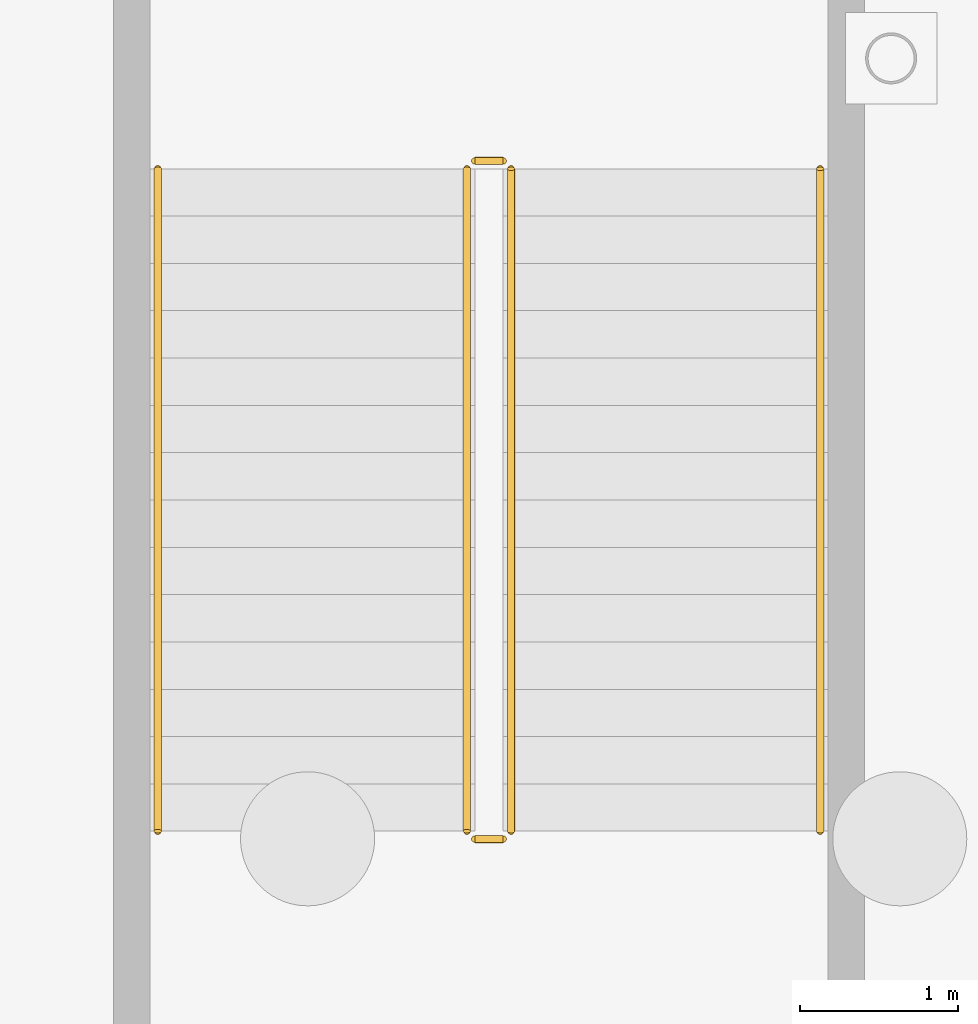
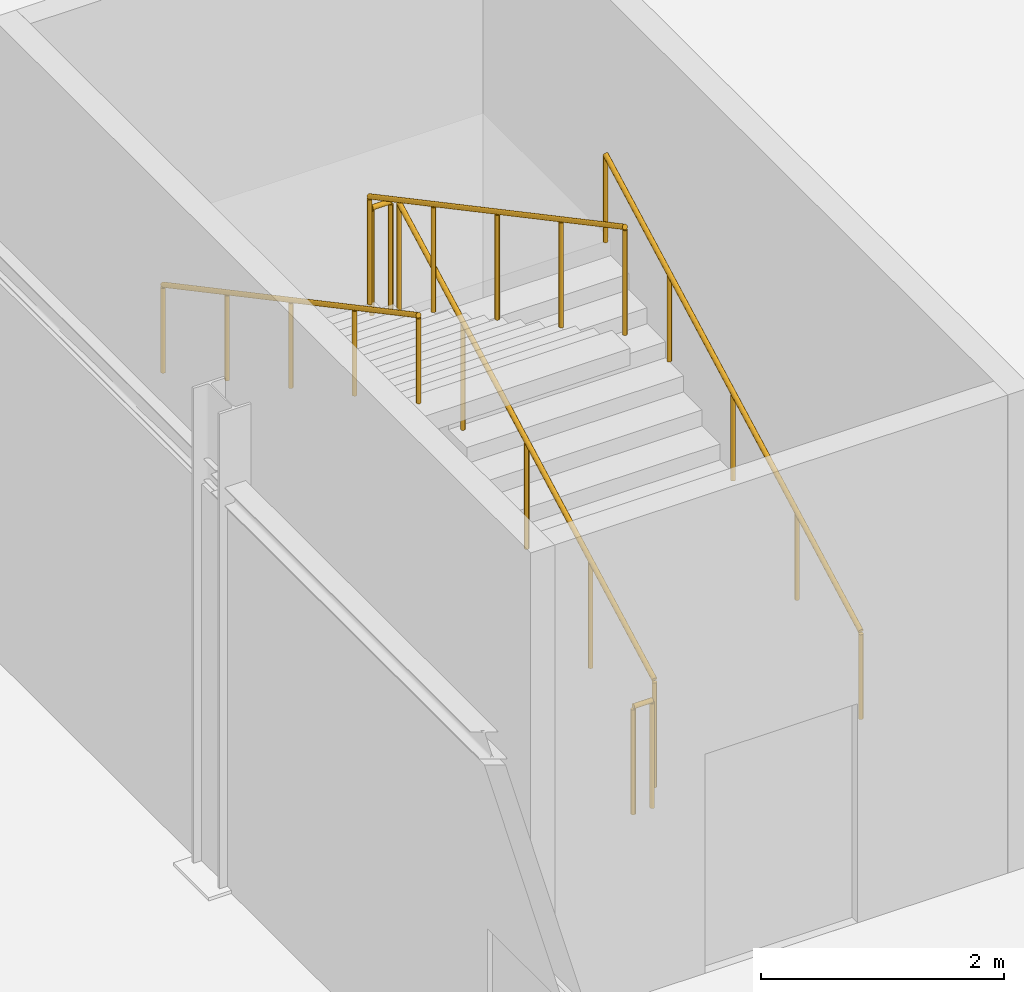
# One storey, part 89 of 101: 6 railings.
"""IFC4 building model written with IfcOpenShell, lengths in metres."""

from ifc_helpers import new_model, si_unit, derived_unit, direction, frame, origin, origin_2d, place, context, subcontext, project, spatial, circle, extrude, material, type_object, element, save


model = new_model("IFC4")

# Units and contexts
model_context = context("Model", 3, precision=1e-05, world=origin(), true_north=direction((0.0, 1.0)))
body_context = subcontext(model_context, "Body", "Model", "MODEL_VIEW")
ifc_project = project(units=[si_unit("LENGTHUNIT", "METRE"), si_unit("AREAUNIT", "SQUARE_METRE"), si_unit("VOLUMEUNIT", "CUBIC_METRE"), si_unit("PLANEANGLEUNIT", "RADIAN"), si_unit("MASSUNIT", "GRAM", prefix="KILO"), derived_unit("THERMALTRANSMITTANCEUNIT", [(si_unit("POWERUNIT", "WATT"), 1), (si_unit("LENGTHUNIT", "METRE"), -2), (si_unit("THERMODYNAMICTEMPERATUREUNIT", "KELVIN"), -1)])], contexts=[model_context])

# Site, building, storey
site_placement = place(None, origin())
site = spatial("IfcSite", under=ifc_project, at=site_placement, CompositionType="ELEMENT")
building_placement = place(site_placement, origin())
building = spatial("IfcBuilding", under=site, at=building_placement, Name="Keldorne Ridge Multi-Sports Centre", CompositionType="ELEMENT")
storey_placement = place(building_placement, origin())
storey = spatial("IfcBuildingStorey", under=building, at=storey_placement, Name="L00", CompositionType="ELEMENT", Elevation=0.0)

# Railings
ifc_material_1 = material(Name="Laminated glass and stainless steel", Category="steel")
railing_type_1 = type_object("IfcRailingType", Name="RLG-BL-01", PredefinedType="BALUSTRADE", material=ifc_material_1)
railing_1_placement = place(storey_placement, frame((81.590087890625, 17.10009765625, 0.159912109375)))
element("IfcRailing", 1, at=railing_1_placement, inside=storey, type_object=railing_type_1, Name="L00 ST-07 stair guard 1", PredefinedType="BALUSTRADE", context=body_context, shape_type="SweptSolid", body=[
    extrude(circle(Radius=0.02392578125, at=origin_2d()), frame((0.0, 0.0, 1.076171875), z_axis=(0.0, 0.882351521365, 0.470590897432), x_axis=(-1.0, 0.0, 0.0)), (0.0, 0.0, 1.0), 4.760009765625),
    extrude(circle(Radius=0.02099609375, at=origin_2d()), origin(), (0.0, 0.0, 1.0), 1.052001953125),
    extrude(circle(Radius=0.02099609375, at=origin_2d()), frame((0.0, 1.050048828125, 0.56005859375)), (0.0, 0.0, 1.0), 1.052001953125),
    extrude(circle(Radius=0.02099609375, at=origin_2d()), frame((0.0, 2.10009765625, 1.1201171875)), (0.0, 0.0, 1.0), 1.052001953125),
    extrude(circle(Radius=0.02099609375, at=origin_2d()), frame((0.0, 3.14990234375, 1.679931640625)), (0.0, 0.0, 1.0), 1.052001953125),
    extrude(circle(Radius=0.02099609375, at=origin_2d()), frame((0.0, 4.199951171875, 2.239990234375)), (0.0, 0.0, 1.0), 1.052001953125),
])
railing_2_placement = place(storey_placement, frame((81.5400390625, 21.35009765625, 2.39990234375)))
element("IfcRailing", 2, at=railing_2_placement, inside=storey, type_object=railing_type_1, Name="L00 ST-07 stair guard 2", PredefinedType="BALUSTRADE", context=body_context, shape_type="SweptSolid", body=[
    extrude(circle(Radius=0.02392578125, at=origin_2d()), frame((0.0, 0.0, 1.076171875), z_axis=(-1.0, 0.0, 0.0), x_axis=(0.0, -1.0, 0.0)), (0.0, 0.0, 1.0), 0.179931640625),
    extrude(circle(Radius=0.02099609375, at=origin_2d()), origin(), (0.0, 0.0, 1.0), 1.052001953125),
    extrude(circle(Radius=0.02099609375, at=origin_2d()), frame((-0.179931640625, 0.0, 0.0)), (0.0, 0.0, 1.0), 1.052001953125),
])
railing_3_placement = place(storey_placement, frame((81.31005859375, 21.300048828125, 2.56005859375)))
element("IfcRailing", 3, at=railing_3_placement, inside=storey, type_object=railing_type_1, Name="L00 ST-07 stair guard 3", PredefinedType="BALUSTRADE", context=body_context, shape_type="SweptSolid", body=[
    extrude(circle(Radius=0.02392578125, at=origin_2d()), frame((0.0, 0.0, 1.076171875), z_axis=(0.0, -0.882351521365, 0.470590897432), x_axis=(1.0, 0.0, 0.0)), (0.0, 0.0, 1.0), 4.760009765625),
    extrude(circle(Radius=0.02099609375, at=origin_2d()), origin(), (0.0, 0.0, 1.0), 1.052001953125),
    extrude(circle(Radius=0.02099609375, at=origin_2d()), frame((0.0, -1.050048828125, 0.56005859375)), (0.0, 0.0, 1.0), 1.052001953125),
    extrude(circle(Radius=0.02099609375, at=origin_2d()), frame((0.0, -2.10009765625, 1.1201171875)), (0.0, 0.0, 1.0), 1.052001953125),
    extrude(circle(Radius=0.02099609375, at=origin_2d()), frame((0.0, -3.14990234375, 1.679931640625)), (0.0, 0.0, 1.0), 1.052001953125),
    extrude(circle(Radius=0.02099609375, at=origin_2d()), frame((0.0, -4.199951171875, 2.239990234375)), (0.0, 0.0, 1.0), 1.052001953125),
])
railing_4_placement = place(storey_placement, frame((81.5400390625, 17.050048828125, 0.0)))
element("IfcRailing", 4, at=railing_4_placement, inside=storey, type_object=railing_type_1, Name="L00 ST-07 stair guard 4", PredefinedType="BALUSTRADE", context=body_context, shape_type="SweptSolid", body=[
    extrude(circle(Radius=0.02392578125, at=origin_2d()), frame((0.0, 0.0, 1.076171875), z_axis=(-1.0, 0.0, 0.0), x_axis=(0.0, -1.0, 0.0)), (0.0, 0.0, 1.0), 0.179931640625),
    extrude(circle(Radius=0.02099609375, at=origin_2d()), origin(), (0.0, 0.0, 1.0), 1.052001953125),
    extrude(circle(Radius=0.02099609375, at=origin_2d()), frame((-0.179931640625, 0.0, 0.0)), (0.0, 0.0, 1.0), 1.052001953125),
])
ifc_material_2 = material(Name="Stainless steel", Category="steel")
railing_type_2 = type_object("IfcRailingType", Name="RLG-HR-01", PredefinedType="HANDRAIL", material=ifc_material_2)
railing_5_placement = place(storey_placement, frame((83.550048828125, 17.10009765625, 0.159912109375)))
element("IfcRailing", 5, at=railing_5_placement, inside=storey, type_object=railing_type_2, Name="L00 ST-07 stair handrail 1", PredefinedType="HANDRAIL", context=body_context, shape_type="SweptSolid", body=[
    extrude(circle(Radius=0.02392578125, at=origin_2d()), frame((0.0, 0.0, 0.8759765625), z_axis=(0.0, 0.882351521365, 0.470590897432), x_axis=(-1.0, 0.0, 0.0)), (0.0, 0.0, 1.0), 4.760009765625),
    extrude(circle(Radius=0.02099609375, at=origin_2d()), origin(), (0.0, 0.0, 1.0), 0.851806640625),
    extrude(circle(Radius=0.02099609375, at=origin_2d()), frame((0.0, 1.050048828125, 0.56005859375)), (0.0, 0.0, 1.0), 0.851806640625),
    extrude(circle(Radius=0.02099609375, at=origin_2d()), frame((0.0, 2.10009765625, 1.1201171875)), (0.0, 0.0, 1.0), 0.851806640625),
    extrude(circle(Radius=0.02099609375, at=origin_2d()), frame((0.0, 3.14990234375, 1.679931640625)), (0.0, 0.0, 1.0), 0.851806640625),
    extrude(circle(Radius=0.02099609375, at=origin_2d()), frame((0.0, 4.199951171875, 2.239990234375)), (0.0, 0.0, 1.0), 0.851806640625),
])
railing_6_placement = place(storey_placement, frame((79.35009765625, 21.300048828125, 2.56005859375)))
element("IfcRailing", 6, at=railing_6_placement, inside=storey, type_object=railing_type_2, Name="L00 ST-07 stair handrail 2", PredefinedType="HANDRAIL", context=body_context, shape_type="SweptSolid", body=[
    extrude(circle(Radius=0.02392578125, at=origin_2d()), frame((0.0, 0.0, 0.8759765625), z_axis=(0.0, -0.882351521365, 0.470590897432), x_axis=(1.0, 0.0, 0.0)), (0.0, 0.0, 1.0), 4.760009765625),
    extrude(circle(Radius=0.02099609375, at=origin_2d()), origin(), (0.0, 0.0, 1.0), 0.851806640625),
    extrude(circle(Radius=0.02099609375, at=origin_2d()), frame((0.0, -1.050048828125, 0.56005859375)), (0.0, 0.0, 1.0), 0.851806640625),
    extrude(circle(Radius=0.02099609375, at=origin_2d()), frame((0.0, -2.10009765625, 1.1201171875)), (0.0, 0.0, 1.0), 0.851806640625),
    extrude(circle(Radius=0.02099609375, at=origin_2d()), frame((0.0, -3.14990234375, 1.679931640625)), (0.0, 0.0, 1.0), 0.851806640625),
    extrude(circle(Radius=0.02099609375, at=origin_2d()), frame((0.0, -4.199951171875, 2.239990234375)), (0.0, 0.0, 1.0), 0.851806640625),
])

save(model, "model.ifc")
